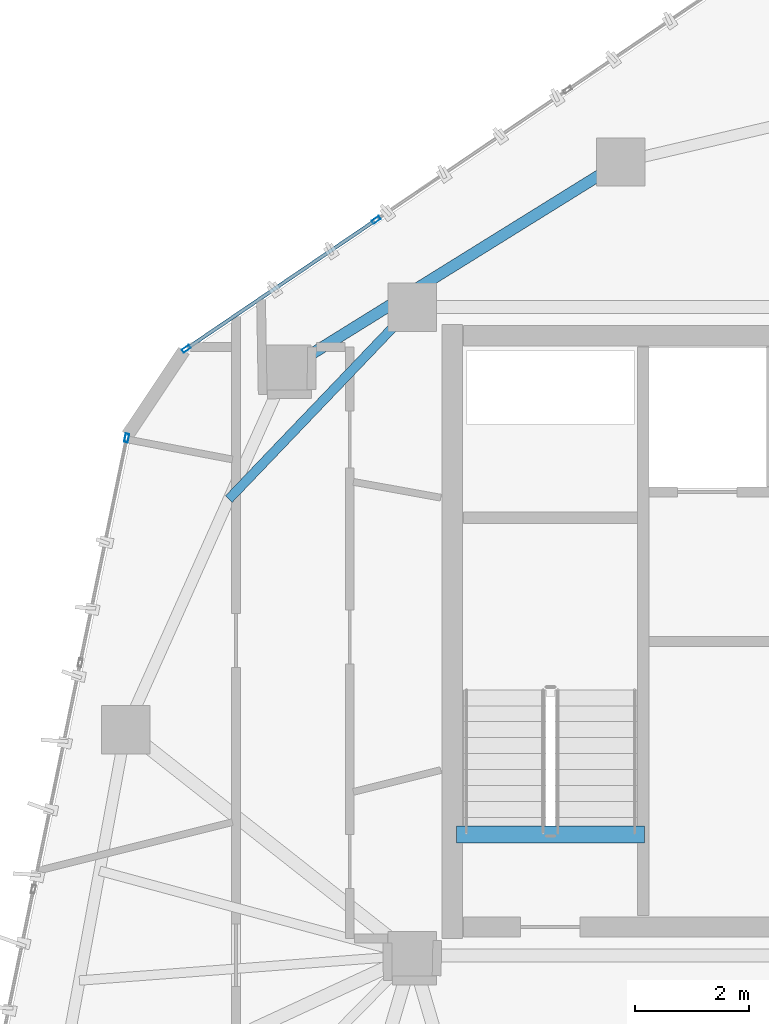
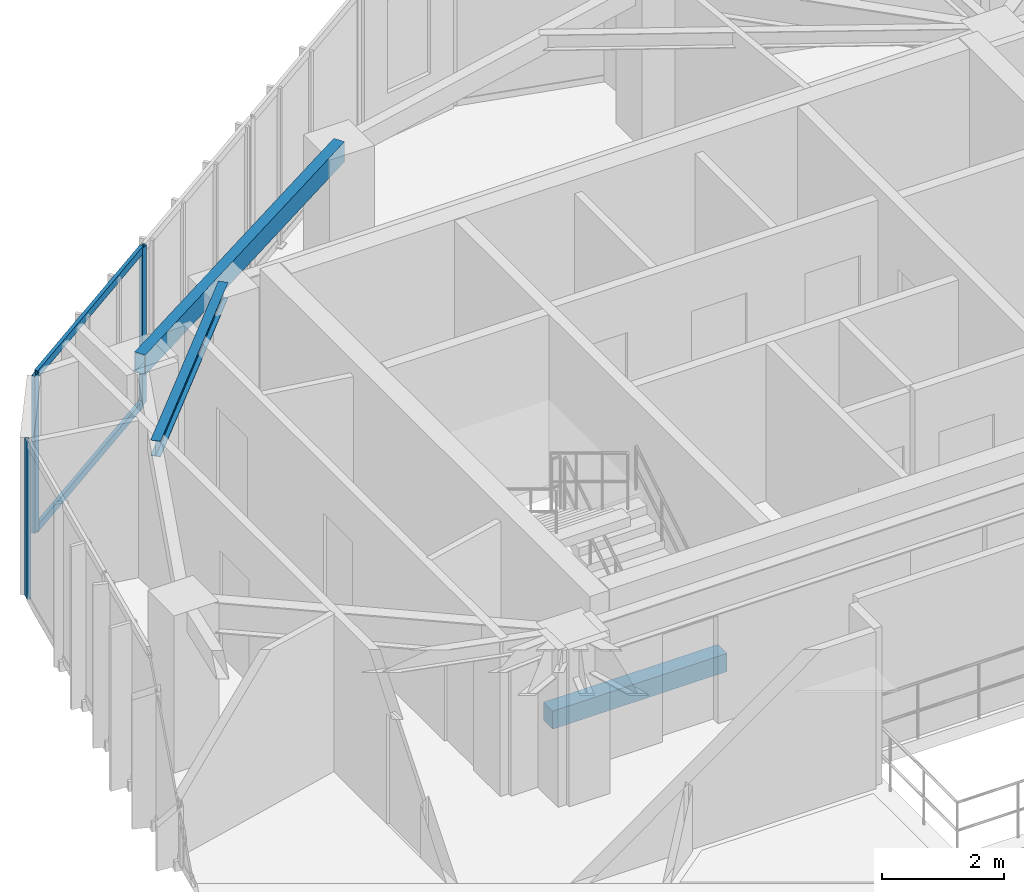
# One storey, part 9 of 20: 5 members, 3 beams, 2 elements without a shape of their own.
"""IFC4 building model written with IfcOpenShell, lengths in metres."""

from ifc_helpers import new_model, si_unit, direction, frame, origin, origin_2d, place, context, subcontext, project, spatial, rectangle, hollow_rectangle, i_section, extrude, source, transform, mapped, material, layer, layer_set, material_profile, profile_set, type_object, type_shapes, element, aggregate, save


model = new_model("IFC4")

# Units and contexts
model_context = context("Model", 3, precision=1e-05, world=origin(), true_north=direction((0.0, 1.0)))
body_context = subcontext(model_context, "Body", "Model", "MODEL_VIEW")
ifc_project = project(units=[si_unit("LENGTHUNIT", "METRE"), si_unit("AREAUNIT", "SQUARE_METRE"), si_unit("VOLUMEUNIT", "CUBIC_METRE"), si_unit("PLANEANGLEUNIT", "RADIAN"), si_unit("MASSUNIT", "GRAM", prefix="KILO")], contexts=[model_context])

# Site, building, storey
site_placement = place(None, origin())
site = spatial("IfcSite", under=ifc_project, at=site_placement, CompositionType="ELEMENT")
building_placement = place(site_placement, origin())
building = spatial("IfcBuilding", under=site, at=building_placement, Name="Talar Marvaseh", CompositionType="ELEMENT")
storey_placement = place(building_placement, frame((0.0, 0.0, 244.199951171875)))
storey = spatial("IfcBuildingStorey", under=building, at=storey_placement, Name="L64", CompositionType="ELEMENT", Elevation=244.199951171875)

# Beams
ifc_material_1 = material(Name="Concrete C40/50", Category="concrete")
ifc_material_profile_1 = material_profile(ifc_material_1, rectangle(XDim=0.300048828125, YDim=0.360107421875, at=origin_2d()), Name="RC300x360")
ifc_profile_set_1 = profile_set([ifc_material_profile_1], Name="Concrete C40/50")
beam_type_1 = type_object("IfcBeamType", Name="Concrete Stair Landing Trimmer Beam RC300x360", PredefinedType="SPANDREL", material=ifc_profile_set_1)
beam_1_placement = place(storey_placement, frame((22.780029296875, 27.6298828125, -0.179931640625), z_axis=(-1.0, 0.0, 0.0), x_axis=(0.0, -1.0, 0.0)))
element("IfcBeam", 1, at=beam_1_placement, inside=storey, type_object=beam_type_1, Name="L64 ST-1 Stair Nosing Trimmer Beam", PredefinedType="SPANDREL", context=body_context, shape_type="SweptSolid", body=[
    extrude(rectangle(XDim=0.300048828125, YDim=0.360107421875, at=origin_2d()), origin(), (0.0, 0.0, 1.0), 3.300048828125),
])
ifc_material_2 = material(Name="Steel S355", Category="steel")
ifc_material_profile_2 = material_profile(ifc_material_2, hollow_rectangle(XDim=0.199951171875, YDim=0.39990234375, WallThickness=0.013916015625, at=origin_2d()), Name="RHS400x200x14")
ifc_profile_set_2 = profile_set([ifc_material_profile_2], Name="Steel S355")
beam_type_2 = type_object("IfcBeamType", Name="Zone 3 Perimeter Spandrel Beam RHS400x200x14", PredefinedType="SPANDREL", material=ifc_profile_set_2)
beam_2_placement = place(storey_placement, frame((16.493896484375, 35.806884765625, 2.93994140625), z_axis=(0.849439811678, 0.527685518407, 0.0), x_axis=(-0.527685518407, 0.849439811678, 0.0)))
element("IfcBeam", 2, at=beam_2_placement, inside=storey, type_object=beam_type_2, Name="L64 Zone 3 Perimeter Spandrel Beam RHS400x200x14", PredefinedType="SPANDREL", context=body_context, shape_type="SweptSolid", body=[
    extrude(hollow_rectangle(XDim=0.199951171875, YDim=0.39990234375, WallThickness=0.013916015625, at=origin_2d()), origin(), (0.0, 0.0, 1.0), 6.91162109375),
])
ifc_material_profile_3 = material_profile(ifc_material_2, i_section(OverallWidth=0.166015625, OverallDepth=0.31298828125, WebThickness=0.006591796875, FlangeThickness=0.01123046875, at=origin_2d()), Name="W310x45")
ifc_profile_set_3 = profile_set([ifc_material_profile_3], Name="Steel S355")
beam_type_3 = type_object("IfcBeamType", Name="Zone 3 Secondary Floor Joist W310x45", PredefinedType="JOIST", material=ifc_profile_set_3)
beam_3_placement = place(storey_placement, frame((15.472900390625, 33.525634765625, 2.983642578125), z_axis=(0.691165656787, 0.722696364235, 0.0), x_axis=(-0.722696364235, 0.691165656787, 0.0)))
element("IfcBeam", 3, at=beam_3_placement, inside=storey, type_object=beam_type_3, Name="L64 Zone 3 Secondary Floor Joist W310x45", PredefinedType="JOIST", context=body_context, shape_type="SweptSolid", body=[
    extrude(i_section(OverallWidth=0.166015625, OverallDepth=0.31298828125, WebThickness=0.006591796875, FlangeThickness=0.01123046875, at=origin_2d()), origin(), (0.0, 0.0, 1.0), 4.6689453125),
])

# Curtain wall, members
ifc_material_3 = material(Name="Architectural Aluminium", Category="aluminium")
ifc_layer = layer(ifc_material_3, 0.179931640625)
ifc_layer_set = layer_set([ifc_layer], Name="Architectural Aluminium")
curtain_wall_type = type_object("IfcCurtainWallType", Name="Unitised High-Wind Sky Curtain Wall Z4", PredefinedType="NOTDEFINED", material=ifc_layer_set)
curtain_wall_1_placement = place(storey_placement, origin())
curtain_wall_1 = element("IfcCurtainWall", 4, at=curtain_wall_1_placement, inside=storey, type_object=curtain_wall_type, Name="L64 Unitised High-Wind Sky Curtain Wall Z4", PredefinedType="NOTDEFINED")
ifc_material_profile_4 = material_profile(ifc_material_3, hollow_rectangle(XDim=0.06494140625, YDim=0.14990234375, WallThickness=0.00390625, at=origin_2d()), Name="RHS150x65x4")
ifc_profile_set_4 = profile_set([ifc_material_profile_4], Name="Architectural Aluminium")
member_type_1 = type_object("IfcMemberType", Name="Unitised Curtain Wall Slim Transom RHS150x65x4", PredefinedType="USERDEFINED", material=ifc_profile_set_4)
shared_shape_1 = source(origin(), body_context, "Body", "SweptSolid", [
    extrude(hollow_rectangle(XDim=0.06494140625, YDim=0.14990234375, WallThickness=0.00390625, at=origin_2d()), origin(), (0.0, 0.0, 1.0), 3.97119140625),
])
type_shapes(member_type_1, [shared_shape_1])
member_1_placement = place(storey_placement, frame((14.751953125, 36.18603515625, 0.032470703125), z_axis=(0.827291084979, 0.561773495916, 0.0), x_axis=(-0.561773495916, 0.827291084979, 0.0)))
member_1 = element("IfcMember", 5, at=member_1_placement, type_object=member_type_1, Name="CW-Z4 transom 1.1", ObjectType="TRANSOM", PredefinedType="USERDEFINED", context=body_context, shape_type="MappedRepresentation", body=[
    mapped(shared_shape_1, transform((0.0, 0.0, 0.0), x_axis=(1.0, 0.0, 0.0), y_axis=(0.0, 1.0, 0.0), z_axis=(0.0, 0.0, 1.0), scale=1.0)),
])
member_2_placement = place(storey_placement, frame((14.751953125, 36.18603515625, 3.107666015625), z_axis=(0.827291084979, 0.561773495916, 0.0), x_axis=(-0.561773495916, 0.827291084979, 0.0)))
member_2 = element("IfcMember", 6, at=member_2_placement, type_object=member_type_1, Name="CW-Z4 transom 1.2", ObjectType="TRANSOM", PredefinedType="USERDEFINED", context=body_context, shape_type="MappedRepresentation", body=[
    mapped(shared_shape_1, transform((0.0, 0.0, 0.0), x_axis=(1.0, 0.0, 0.0), y_axis=(0.0, 1.0, 0.0), z_axis=(0.0, 0.0, 1.0), scale=1.0)),
])

# Curtain wall, member
curtain_wall_2_placement = place(storey_placement, origin())
curtain_wall_2 = element("IfcCurtainWall", 7, at=curtain_wall_2_placement, inside=storey, type_object=curtain_wall_type, Name="L64 Unitised High-Wind Sky Curtain Wall Z4", PredefinedType="NOTDEFINED")
ifc_material_profile_5 = material_profile(ifc_material_3, hollow_rectangle(XDim=0.06494140625, YDim=0.14990234375, WallThickness=0.00390625, at=origin_2d()), Name="RHS150x65x4")
ifc_profile_set_5 = profile_set([ifc_material_profile_5], Name="Architectural Aluminium")
member_type_2 = type_object("IfcMemberType", Name="Unitised Curtain Wall Slim Mullion RHS150x65x4", PredefinedType="MULLION", material=ifc_profile_set_5)
shared_shape_2 = source(origin(), body_context, "Body", "SweptSolid", [
    extrude(hollow_rectangle(XDim=0.06494140625, YDim=0.14990234375, WallThickness=0.00390625, at=origin_2d()), origin(), (0.0, 0.0, 1.0), 3.14013671875),
])
type_shapes(member_type_2, [shared_shape_2])
member_3_placement = place(storey_placement, frame((13.677490234375, 34.599609375, 0.0), z_axis=(0.0, 0.0, 1.0), x_axis=(-0.979286026612, 0.202481796914, 0.0)))
member_3 = element("IfcMember", 8, at=member_3_placement, type_object=member_type_2, Name="CW-Z4 mullion 4", PredefinedType="MULLION", context=body_context, shape_type="MappedRepresentation", body=[
    mapped(shared_shape_2, transform((0.0, 0.0, 0.0), x_axis=(1.0, 0.0, 0.0), y_axis=(0.0, 1.0, 0.0), z_axis=(0.0, 0.0, 1.0), scale=1.0)),
])
aggregate(curtain_wall_2, [member_3])

# Member
member_4_placement = place(storey_placement, frame((14.72509765625, 36.167724609375, 0.0), z_axis=(0.0, 0.0, 1.0), x_axis=(-0.561822529848, 0.827257786277, 0.0)))
member_4 = element("IfcMember", 9, at=member_4_placement, type_object=member_type_2, Name="CW-Z4 mullion 1", PredefinedType="MULLION", context=body_context, shape_type="MappedRepresentation", body=[
    mapped(shared_shape_2, transform((0.0, 0.0, 0.0), x_axis=(1.0, 0.0, 0.0), y_axis=(0.0, 1.0, 0.0), z_axis=(0.0, 0.0, 1.0), scale=1.0)),
])

member_5_placement = place(storey_placement, frame((18.064208984375, 38.435302734375, 0.0), z_axis=(0.0, 0.0, 1.0), x_axis=(-0.561822529848, 0.827257786277, 0.0)))
member_5 = element("IfcMember", 10, at=member_5_placement, type_object=member_type_2, Name="CW-Z4 mullion 2", PredefinedType="MULLION", context=body_context, shape_type="MappedRepresentation", body=[
    mapped(shared_shape_2, transform((0.0, 0.0, 0.0), x_axis=(1.0, 0.0, 0.0), y_axis=(0.0, 1.0, 0.0), z_axis=(0.0, 0.0, 1.0), scale=1.0)),
])

aggregate(curtain_wall_1, [member_4, member_5, member_1, member_2])

save(model, "model.ifc")
